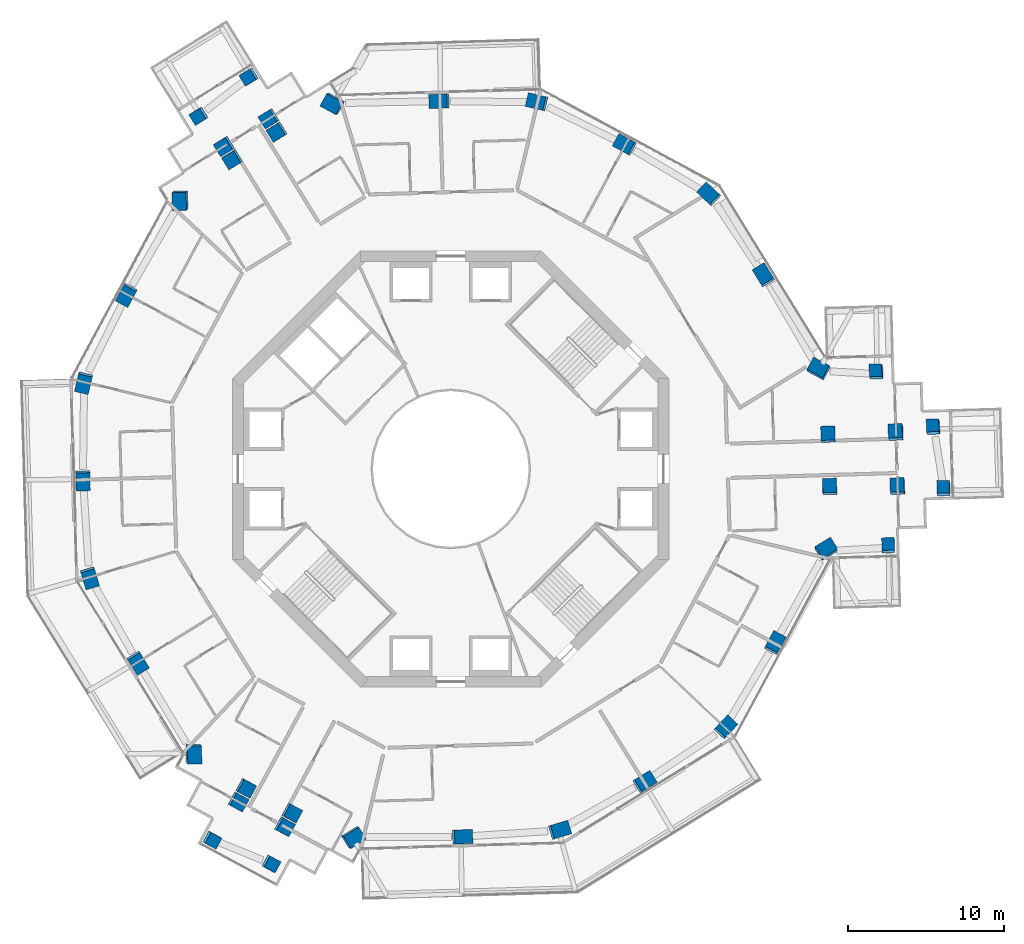
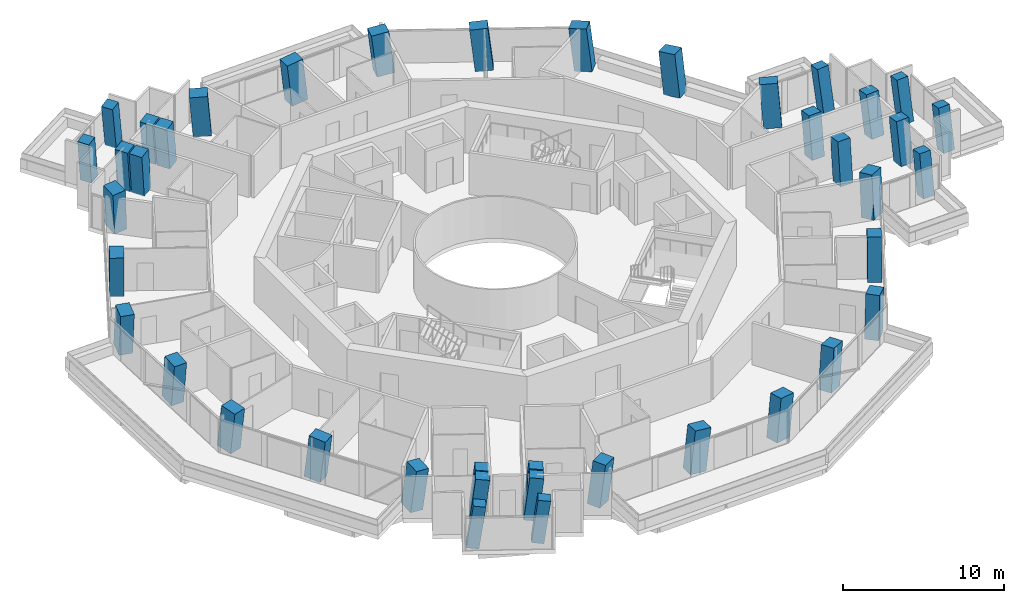
# One storey, part 1 of 22: 41 columns.
"""IFC4 building model written with IfcOpenShell, lengths in metres."""

from ifc_helpers import new_model, si_unit, direction, frame, origin, origin_2d, place, context, subcontext, project, spatial, rectangle, extrude, material, material_profile, profile_set, type_object, element, save


model = new_model("IFC4")

# Units and contexts
model_context = context("Model", 3, precision=1e-05, world=origin(), true_north=direction((0.0, 1.0)))
body_context = subcontext(model_context, "Body", "Model", "MODEL_VIEW")
ifc_project = project(units=[si_unit("LENGTHUNIT", "METRE"), si_unit("AREAUNIT", "SQUARE_METRE"), si_unit("VOLUMEUNIT", "CUBIC_METRE"), si_unit("PLANEANGLEUNIT", "RADIAN"), si_unit("MASSUNIT", "GRAM", prefix="KILO")], contexts=[model_context])

# Site, building, storey
site_placement = place(None, origin())
site = spatial("IfcSite", under=ifc_project, at=site_placement, CompositionType="ELEMENT")
building_placement = place(site_placement, origin())
building = spatial("IfcBuilding", under=site, at=building_placement, Name="Verdalira Terraces Hotel", CompositionType="ELEMENT")
storey_placement = place(building_placement, frame((0.0, 0.0, 162.0)))
storey = spatial("IfcBuildingStorey", under=building, at=storey_placement, Name="L39", CompositionType="ELEMENT", Elevation=162.0)

# Columns
ifc_material_1 = material(Name="Concrete C60", Category="concrete")
ifc_material_profile_1 = material_profile(ifc_material_1, rectangle(XDim=1.149902, YDim=0.899902, at=origin_2d()), Name="RC 1150X900")
ifc_profile_set_1 = profile_set([ifc_material_profile_1], Name="Concrete C60")
column_type_1 = type_object("IfcColumnType", Name="Column RC 1150X900 C60", PredefinedType="COLUMN", material=ifc_profile_set_1)
column_1_placement = place(storey_placement, frame((-17.324951, 17.257812, 0.0), z_axis=(-0.081337026, -0.083009376, 0.993223908), x_axis=(-0.035851869, 0.996124497, 0.080315816)))
element("IfcColumn", 1, at=column_1_placement, inside=storey, type_object=column_type_1, Name="Column C01", PredefinedType="COLUMN", context=body_context, shape_type="SweptSolid", body=[
    extrude(rectangle(XDim=1.149902, YDim=0.899902, at=origin_2d()), origin(), (0.0, 0.0, 1.0), 3.21167),
])
column_2_placement = place(storey_placement, frame((-20.782715, 11.199707, 0.0), z_axis=(-0.052474579, -0.09932145, 0.993670805), x_axis=(-0.471622943, -0.874616696, -0.112327356)))
element("IfcColumn", 2, at=column_2_placement, inside=storey, type_object=column_type_1, Name="Column C02", PredefinedType="COLUMN", context=body_context, shape_type="SweptSolid", body=[
    extrude(rectangle(XDim=1.149902, YDim=0.899902, at=origin_2d()), origin(), (0.0, 0.0, 1.0), 3.210205),
])
column_3_placement = place(storey_placement, frame((-23.541992, 5.57373, 0.0), z_axis=(-0.025544734, -0.112214366, 0.993355627), x_axis=(0.228704033, 0.966669959, 0.115081082)))
element("IfcColumn", 3, at=column_3_placement, inside=storey, type_object=column_type_1, Name="Column C03", PredefinedType="COLUMN", context=body_context, shape_type="SweptSolid", body=[
    extrude(rectangle(XDim=1.149902, YDim=0.899902, at=origin_2d()), origin(), (0.0, 0.0, 1.0), 3.211182),
])
column_4_placement = place(storey_placement, frame((-23.598145, -0.692139, 0.0), z_axis=(0.004182758, -0.112250014, 0.993671193), x_axis=(0.02857431, -0.993260713, -0.112323925)))
element("IfcColumn", 4, at=column_4_placement, inside=storey, type_object=column_type_1, Name="Column C04", PredefinedType="COLUMN", context=body_context, shape_type="SweptSolid", body=[
    extrude(rectangle(XDim=1.149902, YDim=0.899902, at=origin_2d()), origin(), (0.0, 0.0, 1.0), 3.210205),
])
column_5_placement = place(storey_placement, frame((-23.174805, -6.943848, 0.0), z_axis=(0.033983692, -0.109933824, 0.993357772), x_axis=(-0.285309883, 0.951503482, 0.115062571)))
element("IfcColumn", 5, at=column_5_placement, inside=storey, type_object=column_type_1, Name="Column C05", PredefinedType="COLUMN", context=body_context, shape_type="SweptSolid", body=[
    extrude(rectangle(XDim=1.149902, YDim=0.899902, at=origin_2d()), origin(), (0.0, 0.0, 1.0), 3.211182),
])
column_6_placement = place(storey_placement, frame((-20.090576, -12.398438, 0.0), z_axis=(0.059775639, -0.09506304, 0.993674943), x_axis=(0.521786787, -0.845653201, -0.112290748)))
element("IfcColumn", 6, at=column_6_placement, inside=storey, type_object=column_type_1, Name="Column C06", PredefinedType="COLUMN", context=body_context, shape_type="SweptSolid", body=[
    extrude(rectangle(XDim=1.149902, YDim=0.899902, at=origin_2d()), origin(), (0.0, 0.0, 1.0), 3.210205),
])
column_7_placement = place(storey_placement, frame((-16.537598, -18.250977, 0.0), z_axis=(0.087484695, -0.077907743, 0.993114702), x_axis=(-0.022603692, 0.996525168, 0.080166474)))
element("IfcColumn", 7, at=column_7_placement, inside=storey, type_object=column_type_1, Name="Column C07", PredefinedType="COLUMN", context=body_context, shape_type="SweptSolid", body=[
    extrude(rectangle(XDim=1.149902, YDim=0.899902, at=origin_2d()), origin(), (0.0, 0.0, 1.0), 3.212158),
])
column_8_placement = place(storey_placement, frame((-6.283203, -23.632812, 0.0), z_axis=(0.112579437, -0.028886013, 0.993222769), x_axis=(-0.844499555, -0.529498623, 0.080322544)))
element("IfcColumn", 8, at=column_8_placement, inside=storey, type_object=column_type_1, Name="Column C10", PredefinedType="COLUMN", context=body_context, shape_type="SweptSolid", body=[
    extrude(rectangle(XDim=1.149902, YDim=0.899902, at=origin_2d()), origin(), (0.0, 0.0, 1.0), 3.21167),
])
column_9_placement = place(storey_placement, frame((0.692139, -23.598145, 0.0), z_axis=(0.112250014, 0.004182758, 0.993671193), x_axis=(0.993260713, 0.02857431, -0.112323925)))
element("IfcColumn", 9, at=column_9_placement, inside=storey, type_object=column_type_1, Name="Column C11", PredefinedType="COLUMN", context=body_context, shape_type="SweptSolid", body=[
    extrude(rectangle(XDim=1.149902, YDim=0.899902, at=origin_2d()), origin(), (0.0, 0.0, 1.0), 3.210205),
])
column_10_placement = place(storey_placement, frame((6.943848, -23.174805, 0.0), z_axis=(0.109933824, 0.033983692, 0.993357772), x_axis=(-0.951503482, -0.285309883, 0.115062571)))
element("IfcColumn", 10, at=column_10_placement, inside=storey, type_object=column_type_1, Name="Column C12", PredefinedType="COLUMN", context=body_context, shape_type="SweptSolid", body=[
    extrude(rectangle(XDim=1.149902, YDim=0.899902, at=origin_2d()), origin(), (0.0, 0.0, 1.0), 3.211182),
])
column_11_placement = place(storey_placement, frame((12.398438, -20.090576, 0.0), z_axis=(0.09506304, 0.059775639, 0.993674943), x_axis=(0.845653201, 0.521786787, -0.112290748)))
element("IfcColumn", 11, at=column_11_placement, inside=storey, type_object=column_type_1, Name="Column C13", PredefinedType="COLUMN", context=body_context, shape_type="SweptSolid", body=[
    extrude(rectangle(XDim=1.149902, YDim=0.899902, at=origin_2d()), origin(), (0.0, 0.0, 1.0), 3.210205),
])
column_12_placement = place(storey_placement, frame((17.601074, -16.5979, 0.0), z_axis=(0.078230867, 0.084388982, 0.993357152), x_axis=(-0.681487218, -0.722727157, 0.115067924)))
element("IfcColumn", 12, at=column_12_placement, inside=storey, type_object=column_type_1, Name="Column C14", PredefinedType="COLUMN", context=body_context, shape_type="SweptSolid", body=[
    extrude(rectangle(XDim=1.149902, YDim=0.899902, at=origin_2d()), origin(), (0.0, 0.0, 1.0), 3.211182),
])
column_13_placement = place(storey_placement, frame((20.782715, -11.199707, 0.0), z_axis=(0.052474579, 0.09932145, 0.993670805), x_axis=(0.471622943, 0.874616696, -0.112327356)))
element("IfcColumn", 13, at=column_13_placement, inside=storey, type_object=column_type_1, Name="Column C15", PredefinedType="COLUMN", context=body_context, shape_type="SweptSolid", body=[
    extrude(rectangle(XDim=1.149902, YDim=0.899902, at=origin_2d()), origin(), (0.0, 0.0, 1.0), 3.210205),
])
column_14_placement = place(storey_placement, frame((24.074707, -5.196289, 0.0), z_axis=(0.023714632, 0.114620722, 0.993126229), x_axis=(-0.851746112, -0.517795924, 0.080099574)))
element("IfcColumn", 14, at=column_14_placement, inside=storey, type_object=column_type_1, Name="Column C16", PredefinedType="COLUMN", context=body_context, shape_type="SweptSolid", body=[
    extrude(rectangle(XDim=1.149902, YDim=0.899902, at=origin_2d()), origin(), (0.0, 0.0, 1.0), 3.211914),
])
column_15_placement = place(storey_placement, frame((23.608154, 6.375, 0.0), z_axis=(-0.031242424, 0.111971023, 0.993220218), x_axis=(0.880653741, -0.466899193, 0.080337609)))
element("IfcColumn", 15, at=column_15_placement, inside=storey, type_object=column_type_1, Name="Column C21", PredefinedType="COLUMN", context=body_context, shape_type="SweptSolid", body=[
    extrude(rectangle(XDim=1.149902, YDim=0.899902, at=origin_2d()), origin(), (0.0, 0.0, 1.0), 3.21167),
])
column_16_placement = place(storey_placement, frame((20.090576, 12.398438, 0.0), z_axis=(-0.059775639, 0.09506304, 0.993674943), x_axis=(-0.521786787, 0.845653201, -0.112290748)))
element("IfcColumn", 16, at=column_16_placement, inside=storey, type_object=column_type_1, Name="Column C22", PredefinedType="COLUMN", context=body_context, shape_type="SweptSolid", body=[
    extrude(rectangle(XDim=1.149902, YDim=0.899902, at=origin_2d()), origin(), (0.0, 0.0, 1.0), 3.210205),
])
column_17_placement = place(storey_placement, frame((16.5979, 17.601074, 0.0), z_axis=(-0.084388982, 0.078230867, 0.993357152), x_axis=(0.722727157, -0.681487218, 0.115067924)))
element("IfcColumn", 17, at=column_17_placement, inside=storey, type_object=column_type_1, Name="Column C23", PredefinedType="COLUMN", context=body_context, shape_type="SweptSolid", body=[
    extrude(rectangle(XDim=1.149902, YDim=0.899902, at=origin_2d()), origin(), (0.0, 0.0, 1.0), 3.211182),
])
column_18_placement = place(storey_placement, frame((11.199707, 20.782715, 0.0), z_axis=(-0.09932145, 0.052474579, 0.993670805), x_axis=(-0.874616696, 0.471622943, -0.112327356)))
element("IfcColumn", 18, at=column_18_placement, inside=storey, type_object=column_type_1, Name="Column C24", PredefinedType="COLUMN", context=body_context, shape_type="SweptSolid", body=[
    extrude(rectangle(XDim=1.149902, YDim=0.899902, at=origin_2d()), origin(), (0.0, 0.0, 1.0), 3.210205),
])
column_19_placement = place(storey_placement, frame((5.57373, 23.541992, 0.0), z_axis=(-0.112214366, 0.025544734, 0.993355627), x_axis=(0.966669959, -0.228704033, 0.115081082)))
element("IfcColumn", 19, at=column_19_placement, inside=storey, type_object=column_type_1, Name="Column C25", PredefinedType="COLUMN", context=body_context, shape_type="SweptSolid", body=[
    extrude(rectangle(XDim=1.149902, YDim=0.899902, at=origin_2d()), origin(), (0.0, 0.0, 1.0), 3.211182),
])
column_20_placement = place(storey_placement, frame((-0.692139, 23.598145, 0.0), z_axis=(-0.112250014, -0.004182758, 0.993671193), x_axis=(-0.993260713, -0.02857431, -0.112323925)))
element("IfcColumn", 20, at=column_20_placement, inside=storey, type_object=column_type_1, Name="Column C26", PredefinedType="COLUMN", context=body_context, shape_type="SweptSolid", body=[
    extrude(rectangle(XDim=1.149902, YDim=0.899902, at=origin_2d()), origin(), (0.0, 0.0, 1.0), 3.210205),
])
column_21_placement = place(storey_placement, frame((-7.537109, 23.44751, 0.0), z_axis=(-0.111199309, -0.036787741, 0.993117), x_axis=(0.874249556, -0.478814356, 0.080153142)))
element("IfcColumn", 21, at=column_21_placement, inside=storey, type_object=column_type_1, Name="Column C27", PredefinedType="COLUMN", context=body_context, shape_type="SweptSolid", body=[
    extrude(rectangle(XDim=1.149902, YDim=0.899902, at=origin_2d()), origin(), (0.0, 0.0, 1.0), 3.212158),
])
ifc_material_2 = material(Name="Concrete C60", Category="concrete")
ifc_material_profile_2 = material_profile(ifc_material_2, rectangle(XDim=0.800049, YDim=0.800049, at=origin_2d()), Name="RC 800X800")
ifc_profile_set_2 = profile_set([ifc_material_profile_2], Name="Concrete C60")
column_type_2 = type_object("IfcColumnType", Name="Column RC 800X800 C60", PredefinedType="COLUMN", material=ifc_profile_set_2)
column_22_placement = place(storey_placement, frame((-15.362549, -23.764648, 0.0), z_axis=(0.113307723, -0.071973915, 0.990949603), x_axis=(0.872804485, -0.469346725, -0.133887949)))
element("IfcColumn", 22, at=column_22_placement, inside=storey, type_object=column_type_2, Name="Column C08", PredefinedType="COLUMN", context=body_context, shape_type="SweptSolid", body=[
    extrude(rectangle(XDim=0.800049, YDim=0.800049, at=origin_2d()), origin(), (0.0, 0.0, 1.0), 3.218994),
])
column_23_placement = place(storey_placement, frame((-11.579834, -25.303467, 0.0), z_axis=(0.120548134, -0.053939411, 0.991240983), x_axis=(0.872068656, -0.471328519, -0.131703021)))
element("IfcColumn", 23, at=column_23_placement, inside=storey, type_object=column_type_2, Name="Column C09", PredefinedType="COLUMN", context=body_context, shape_type="SweptSolid", body=[
    extrude(rectangle(XDim=0.800049, YDim=0.800049, at=origin_2d()), origin(), (0.0, 0.0, 1.0), 3.218018),
])
column_24_placement = place(storey_placement, frame((28.069092, -4.969238, 0.0), z_axis=(-0.012213684, 0.131771233, 0.991204907), x_axis=(0.999512507, 0.030093226, 0.008315443)))
element("IfcColumn", 24, at=column_24_placement, inside=storey, type_object=column_type_2, Name="Column C17", PredefinedType="COLUMN", context=body_context, shape_type="SweptSolid", body=[
    extrude(rectangle(XDim=0.800049, YDim=0.800049, at=origin_2d()), origin(), (0.0, 0.0, 1.0), 3.218262),
])
column_25_placement = place(storey_placement, frame((31.623779, -1.323486, 0.0), z_axis=(-0.029581596, 0.148134949, 0.988524641), x_axis=(-0.024906894, 0.988541132, -0.148882759)))
element("IfcColumn", 25, at=column_25_placement, inside=storey, type_object=column_type_2, Name="Column C18", PredefinedType="COLUMN", context=body_context, shape_type="SweptSolid", body=[
    extrude(rectangle(XDim=0.800049, YDim=0.800049, at=origin_2d()), origin(), (0.0, 0.0, 1.0), 3.227051),
])
column_26_placement = place(storey_placement, frame((30.968018, 2.618896, 0.0), z_axis=(-0.048256591, 0.144845411, 0.988276838), x_axis=(-0.022549622, 0.989019392, -0.146055319)))
element("IfcColumn", 26, at=column_26_placement, inside=storey, type_object=column_type_2, Name="Column C19", PredefinedType="COLUMN", context=body_context, shape_type="SweptSolid", body=[
    extrude(rectangle(XDim=0.800049, YDim=0.800049, at=origin_2d()), origin(), (0.0, 0.0, 1.0), 3.227783),
])
column_27_placement = place(storey_placement, frame((27.322266, 6.173584, 0.0), z_axis=(-0.064989605, 0.1276311, 0.989690181), x_axis=(-0.99746747, -0.037028492, -0.060725094)))
element("IfcColumn", 27, at=column_27_placement, inside=storey, type_object=column_type_2, Name="Column C20", PredefinedType="COLUMN", context=body_context, shape_type="SweptSolid", body=[
    extrude(rectangle(XDim=0.800049, YDim=0.800049, at=origin_2d()), origin(), (0.0, 0.0, 1.0), 3.223145),
])
column_28_placement = place(storey_placement, frame((-12.899658, 25.186768, 0.0), z_axis=(-0.118920571, -0.062190605, 0.9909542), x_axis=(-0.842583548, -0.521666604, -0.133854096)))
element("IfcColumn", 28, at=column_28_placement, inside=storey, type_object=column_type_2, Name="Column C28", PredefinedType="COLUMN", context=body_context, shape_type="SweptSolid", body=[
    extrude(rectangle(XDim=0.800049, YDim=0.800049, at=origin_2d()), origin(), (0.0, 0.0, 1.0), 3.218994),
])
column_29_placement = place(storey_placement, frame((-16.123535, 22.680176, 0.0), z_axis=(-0.106968421, -0.077457275, 0.991240701), x_axis=(-0.844080597, -0.519790058, -0.131705135)))
element("IfcColumn", 29, at=column_29_placement, inside=storey, type_object=column_type_2, Name="Column C29", PredefinedType="COLUMN", context=body_context, shape_type="SweptSolid", body=[
    extrude(rectangle(XDim=0.800049, YDim=0.800049, at=origin_2d()), origin(), (0.0, 0.0, 1.0), 3.218018),
])
ifc_material_3 = material(Name="Concrete C60", Category="concrete")
ifc_material_profile_3 = material_profile(ifc_material_3, rectangle(XDim=0.899902, YDim=0.899902, at=origin_2d()), Name="RC 900X900")
ifc_profile_set_3 = profile_set([ifc_material_profile_3], Name="Concrete C60")
column_type_3 = type_object("IfcColumnType", Name="Column RC 900X900 C60", PredefinedType="COLUMN", material=ifc_profile_set_3)
for number, where, z_axis, x_axis, name in (
    (30, (-11.117432, 21.64502, 0.0), (-0.102475493, -0.053746419, 0.993282485), (-0.524506188, 0.851368625, -0.008045058), "Column C30"),
    (31, (-13.973877, 19.88208, 0.0), (-0.093963327, -0.067203544, 0.993304876), (-0.525812048, 0.850564961, 0.007806194), "Column C31"),
):
    element("IfcColumn", number, at=place(storey_placement, frame(where, z_axis=z_axis, x_axis=x_axis)), inside=storey, type_object=column_type_3, Name=name, PredefinedType="COLUMN", context=body_context, shape_type="SweptSolid", body=[
        extrude(rectangle(XDim=0.899902, YDim=0.899902, at=origin_2d()), origin(), (0.0, 0.0, 1.0), 3.211426),
    ])
column_30_placement = place(storey_placement, frame((-11.628418, 22.504639, 0.0), z_axis=(-0.106520661, -0.056147481, 0.992723934), x_axis=(-0.524148649, 0.851588491, -0.00807688)))
element("IfcColumn", 32, at=column_30_placement, inside=storey, type_object=column_type_3, Name="Column C32", PredefinedType="COLUMN", context=body_context, shape_type="SweptSolid", body=[
    extrude(rectangle(XDim=0.899902, YDim=0.899902, at=origin_2d()), origin(), (0.0, 0.0, 1.0), 3.213379),
])
column_31_placement = place(storey_placement, frame((-14.499023, 20.733154, 0.0), z_axis=(-0.097937301, -0.069748986, 0.992745367), x_axis=(-0.526145107, 0.850358673, 0.007839294)))
element("IfcColumn", 33, at=column_31_placement, inside=storey, type_object=column_type_3, Name="Column C33", PredefinedType="COLUMN", context=body_context, shape_type="SweptSolid", body=[
    extrude(rectangle(XDim=0.899902, YDim=0.899902, at=origin_2d()), origin(), (0.0, 0.0, 1.0), 3.213135),
])
for number, where, z_axis, x_axis, name in (
    (34, (-13.186279, -20.450439, 0.0), (0.097762387, -0.061880702, 0.993284096), (-0.475187968, -0.879847536, -0.008044097), "Column C34"),
    (35, (-10.231689, -22.042725, 0.0), (0.105214007, -0.047817638, 0.993299293), (-0.473913182, -0.880536943, 0.007809437), "Column C35"),
):
    element("IfcColumn", number, at=place(storey_placement, frame(where, z_axis=z_axis, x_axis=x_axis)), inside=storey, type_object=column_type_3, Name=name, PredefinedType="COLUMN", context=body_context, shape_type="SweptSolid", body=[
        extrude(rectangle(XDim=0.899902, YDim=0.899902, at=origin_2d()), origin(), (0.0, 0.0, 1.0), 3.211426),
    ])
for number, where, z_axis, x_axis, name in (
    (36, (-13.675293, -21.322998, 0.0), (0.10181116, -0.064125835, 0.992734791), (-0.475402451, -0.87973142, -0.008070874), "Column C36"),
    (37, (-10.706055, -22.923096, 0.0), (0.109409857, -0.049918247, 0.99274249), (-0.473091224, -0.880978555, 0.007840843), "Column C37"),
):
    element("IfcColumn", number, at=place(storey_placement, frame(where, z_axis=z_axis, x_axis=x_axis)), inside=storey, type_object=column_type_3, Name=name, PredefinedType="COLUMN", context=body_context, shape_type="SweptSolid", body=[
        extrude(rectangle(XDim=0.899902, YDim=0.899902, at=origin_2d()), origin(), (0.0, 0.0, 1.0), 3.213379),
    ])
for number, where, z_axis, x_axis, name in (
    (38, (24.303711, -1.194336, 0.0), (0.00471326, 0.11562691, 0.993281532), (0.999565104, 0.028370228, -0.008045626), "Column C38"),
    (39, (24.205322, 2.160645, 0.0), (-0.011251308, 0.114945795, 0.993308045), (0.999507533, 0.03039381, 0.007804353), "Column C39"),
):
    element("IfcColumn", number, at=place(storey_placement, frame(where, z_axis=z_axis, x_axis=x_axis)), inside=storey, type_object=column_type_3, Name=name, PredefinedType="COLUMN", context=body_context, shape_type="SweptSolid", body=[
        extrude(rectangle(XDim=0.899902, YDim=0.899902, at=origin_2d()), origin(), (0.0, 0.0, 1.0), 3.211426),
    ])
column_32_placement = place(storey_placement, frame((28.668457, -1.182373, 0.0), z_axis=(-0.030246106, 0.134401867, 0.990465199), x_axis=(0.999118023, 0.032940391, 0.02604047)))
element("IfcColumn", 40, at=column_32_placement, inside=storey, type_object=column_type_3, Name="Column C40", PredefinedType="COLUMN", context=body_context, shape_type="SweptSolid", body=[
    extrude(rectangle(XDim=0.899902, YDim=0.899902, at=origin_2d()), origin(), (0.0, 0.0, 1.0), 3.220703),
])
column_33_placement = place(storey_placement, frame((28.56665, 2.288574, 0.0), z_axis=(-0.046670483, 0.133647291, 0.989929426), x_axis=(0.998482628, 0.035238855, 0.042316237)))
element("IfcColumn", 41, at=column_33_placement, inside=storey, type_object=column_type_3, Name="Column C41", PredefinedType="COLUMN", context=body_context, shape_type="SweptSolid", body=[
    extrude(rectangle(XDim=0.899902, YDim=0.899902, at=origin_2d()), origin(), (0.0, 0.0, 1.0), 3.222412),
])

save(model, "model.ifc")
